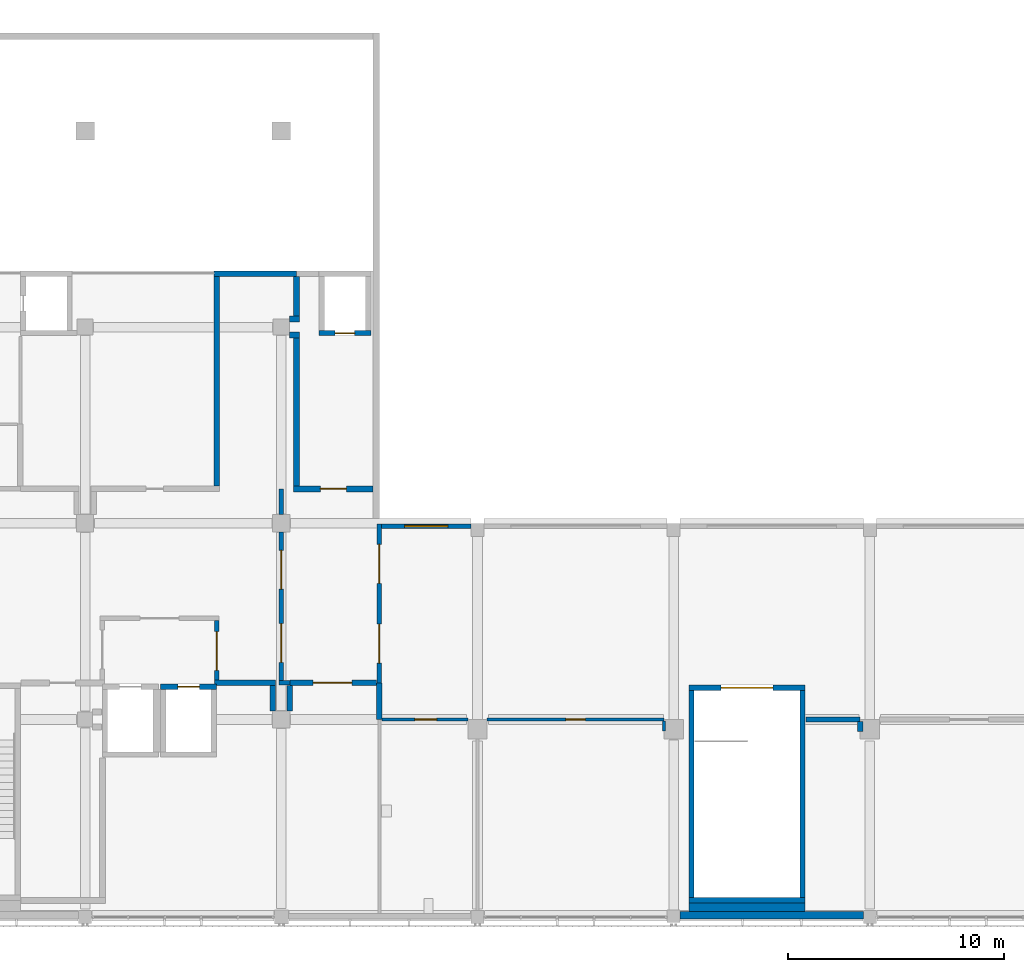
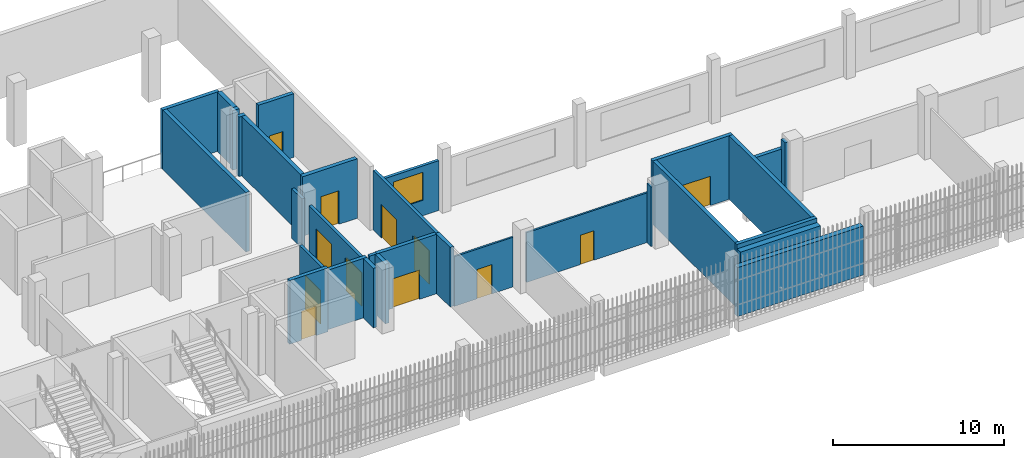
# One storey, part 55 of 104: 31 walls, 12 doors, 1 window, 13 openings.
"""IFC4 building model written with IfcOpenShell, lengths in metres."""

from ifc_helpers import new_model, si_unit, direction, frame, frame_2d, origin, place, context, subcontext, project, spatial, rectangle, extrude, material, layer, layer_set, type_object, element, fill, save


model = new_model("IFC4")

# Units and contexts
model_context = context("Model", 3, precision=1e-05, world=origin(), true_north=direction((0.0, 1.0)))
body_context = subcontext(model_context, "Body", "Model", "MODEL_VIEW")
ifc_project = project(units=[si_unit("LENGTHUNIT", "METRE"), si_unit("AREAUNIT", "SQUARE_METRE"), si_unit("VOLUMEUNIT", "CUBIC_METRE"), si_unit("PLANEANGLEUNIT", "RADIAN"), si_unit("MASSUNIT", "GRAM", prefix="KILO")], contexts=[model_context])

# Site, building, storey
site_placement = place(None, origin())
site = spatial("IfcSite", under=ifc_project, at=site_placement, CompositionType="ELEMENT")
building_placement = place(site_placement, origin())
building = spatial("IfcBuilding", under=site, at=building_placement, Name="Shirokan Park Arena", CompositionType="ELEMENT")
storey_placement = place(building_placement, frame((0.0, 0.0, 10.919921875)))
storey = spatial("IfcBuildingStorey", under=building, at=storey_placement, Name="L02", CompositionType="ELEMENT", Elevation=10.919921875)

# Wall, opening, window
ifc_material_1 = material(Name="Cedar timber lining", Category="wood")
ifc_layer_1 = layer(ifc_material_1, 0.02001953125, Name="Cedar timber lining")
ifc_material_2 = material(Name="Plywood", Category="wood")
ifc_layer_2 = layer(ifc_material_2, 0.01806640625, Name="Plywood")
ifc_material_3 = material(Name="Mineral wool insulation")
ifc_layer_3 = layer(ifc_material_3, 0.14208984375, Name="Mineral wool insulation")
ifc_material_4 = material(Name="Gypsum board")
ifc_layer_4 = layer(ifc_material_4, 0.02001953125, Name="Gypsum board")
ifc_layer_set_1 = layer_set([ifc_layer_1, ifc_layer_2, ifc_layer_3, ifc_layer_4], Name="Cedar timber lining + Plywood + Mineral wool insulation + Gypsum board")
wall_type_1 = type_object("IfcWallType", Name="Bowl front wall 200", PredefinedType="PARTITIONING", material=ifc_layer_set_1)
wall_1_placement = place(storey_placement, frame((41.050048828125, 18.070068359375, 0.0), z_axis=(0.0, 0.0, 1.0), x_axis=(1.0, 0.0, 0.0)))
wall_1 = element("IfcWall", 1, at=wall_1_placement, inside=storey, type_object=wall_type_1, Name="Bowl front wall 200 L02", PredefinedType="PARTITIONING", context=body_context, shape_type="SweptSolid", body=[
    extrude(rectangle(XDim=4.14990234375, YDim=0.199951171875, at=frame_2d((2.074951171875, 0.0))), origin(), (0.0, 0.0, 1.0), 3.550048828125),
])
opening_1_placement = place(wall_1_placement, frame((1.074951171875, 0.0, 1.10009765625)))
opening_1 = element("IfcOpeningElement", 2, at=opening_1_placement, cuts=wall_1, Name="Opening W5", PredefinedType="OPENING", context=body_context, shape_type="SweptSolid", body=[
    extrude(rectangle(XDim=2.0, YDim=2.0, at=frame_2d((1.0, 1.0))), frame((0.0, 0.10986328125, 0.0), z_axis=(0.0, -1.0, 0.0), x_axis=(1.0, 0.0, 0.0)), (0.0, 0.0, 1.0), 0.219970703125),
])
ifc_material_5 = material(Name="Aluminium frame with laminated glass", Category="aluminium")
window_type = type_object("IfcWindowType", Name="Lounge viewing window 2000 x 2000", PartitioningType="SINGLE_PANEL", PredefinedType="WINDOW", material=ifc_material_5)
window_placement = place(opening_1_placement, origin())
window = element("IfcWindow", 3, at=window_placement, inside=storey, type_object=window_type, Name="Lounge viewing window 2000 x 2000 L02", OverallHeight=2.0, OverallWidth=2.0, PartitioningType="SINGLE_PANEL", PredefinedType="WINDOW", context=body_context, shape_type="SweptSolid", body=[
    extrude(rectangle(XDim=2.0, YDim=2.0, at=frame_2d((1.0, 1.0))), frame((0.0, 0.030029296875, 0.0), z_axis=(0.0, -1.0, 0.0), x_axis=(1.0, 0.0, 0.0)), (0.0, 0.0, 1.0), 0.06005859375),
])
fill(opening_1, window)

# Walls
ifc_material_6 = material(Name="Plaster")
ifc_layer_5 = layer(ifc_material_6, 0.014892578125, Name="Plaster")
ifc_material_7 = material(Name="Concrete blockwork", Category="masonry")
ifc_layer_6 = layer(ifc_material_7, 0.219970703125, Name="Concrete blockwork 220")
ifc_layer_7 = layer(ifc_material_6, 0.014892578125, Name="Plaster")
ifc_layer_set_2 = layer_set([ifc_layer_5, ifc_layer_6, ifc_layer_7], Name="Plaster + Concrete blockwork 220")
wall_type_2 = type_object("IfcWallType", Name="Compartment wall 250", PredefinedType="SOLIDWALL", material=ifc_layer_set_2)
wall_2_placement = place(storey_placement, frame((33.39990234375, 29.64990234375, 0.0), z_axis=(0.0, 0.0, 1.0), x_axis=(0.0, -1.0, 0.0)))
element("IfcWall", 4, at=wall_2_placement, inside=storey, type_object=wall_type_2, Name="Compartment wall 250 L02", PredefinedType="SOLIDWALL", context=body_context, shape_type="SweptSolid", body=[
    extrude(rectangle(XDim=9.724853515625, YDim=0.25, at=frame_2d((4.8623046875, 0.0))), origin(), (0.0, 0.0, 1.0), 4.25),
])
wall_3_placement = place(storey_placement, frame((36.0, 9.5, 0.0), z_axis=(0.0, 0.0, 1.0), x_axis=(0.0, 1.0, 0.0)))
element("IfcWall", 5, at=wall_3_placement, inside=storey, type_object=wall_type_2, Name="Compartment wall 250 L02", PredefinedType="SOLIDWALL", context=body_context, shape_type="SweptSolid", body=[
    extrude(rectangle(XDim=1.175048828125, YDim=0.25, at=frame_2d((0.58740234375, 0.0))), origin(), (0.0, 0.0, 1.0), 4.25),
])
wall_4_placement = place(storey_placement, frame((36.125, 10.800048828125, 0.0), z_axis=(0.0, 0.0, 1.0), x_axis=(-1.0, 0.0, 0.0)))
element("IfcWall", 6, at=wall_4_placement, inside=storey, type_object=wall_type_2, Name="Compartment wall 250 L02", PredefinedType="SOLIDWALL", context=body_context, shape_type="SweptSolid", body=[
    extrude(rectangle(XDim=2.824951171875, YDim=0.25, at=frame_2d((1.41259765625, 0.0))), origin(), (0.0, 0.0, 1.0), 4.25),
])
wall_5_placement = place(storey_placement, frame((36.800048828125, 10.675048828125, 0.0), z_axis=(0.0, 0.0, 1.0), x_axis=(0.0, -1.0, 0.0)))
element("IfcWall", 7, at=wall_5_placement, inside=storey, type_object=wall_type_2, Name="Compartment wall 250 L02", PredefinedType="SOLIDWALL", context=body_context, shape_type="SweptSolid", body=[
    extrude(rectangle(XDim=1.175048828125, YDim=0.25, at=frame_2d((0.58740234375, 0.0))), origin(), (0.0, 0.0, 1.0), 4.25),
])
wall_6_placement = place(storey_placement, frame((37.10009765625, 29.77490234375, 0.0), z_axis=(0.0, 0.0, 1.0), x_axis=(-1.0, 0.0, 0.0)))
element("IfcWall", 8, at=wall_6_placement, inside=storey, type_object=wall_type_2, Name="Compartment wall 250 L02", PredefinedType="SOLIDWALL", context=body_context, shape_type="SweptSolid", body=[
    extrude(rectangle(XDim=3.8251953125, YDim=0.25, at=frame_2d((1.91259765625, 0.0))), origin(), (0.0, 0.0, 1.0), 4.25),
])

# Wall, opening, door
wall_7_placement = place(storey_placement, frame((40.824951171875, 10.800048828125, 0.0), z_axis=(0.0, 0.0, 1.0), x_axis=(-1.0, 0.0, 0.0)))
wall_7 = element("IfcWall", 9, at=wall_7_placement, inside=storey, type_object=wall_type_2, Name="Compartment wall 250 L02", PredefinedType="SOLIDWALL", context=body_context, shape_type="SweptSolid", body=[
    extrude(rectangle(XDim=4.02490234375, YDim=0.25, at=frame_2d((2.012451171875, 0.0))), origin(), (0.0, 0.0, 1.0), 4.25),
])
opening_2_placement = place(wall_7_placement, frame((1.14990234375, 0.0, 0.0)))
opening_2 = element("IfcOpeningElement", 10, at=opening_2_placement, cuts=wall_7, Name="Opening D-2009", PredefinedType="OPENING", context=body_context, shape_type="SweptSolid", body=[
    extrude(rectangle(XDim=1.800048828125, YDim=2.10009765625, at=frame_2d((0.89990234375, 1.050048828125))), frame((0.0, 0.135009765625, 0.0), z_axis=(0.0, -1.0, 0.0), x_axis=(1.0, 0.0, 0.0)), (0.0, 0.0, 1.0), 0.27001953125),
])
ifc_material_8 = material(Name="Timber door set, fire resisting", Category="wood")
door_type_1 = type_object("IfcDoorType", Name="Double door 1800 x 2100", OperationType="DOUBLE_DOOR_SINGLE_SWING", PredefinedType="DOOR", material=ifc_material_8)
door_1_placement = place(opening_2_placement, origin())
door_1 = element("IfcDoor", 11, at=door_1_placement, inside=storey, type_object=door_type_1, Name="Door to Glass Wash Room 2.13 D-2009", OperationType="DOUBLE_DOOR_SINGLE_SWING", OverallHeight=2.10009765625, OverallWidth=1.800048828125, PredefinedType="DOOR", context=body_context, shape_type="SweptSolid", body=[
    extrude(rectangle(XDim=1.800048828125, YDim=2.10009765625, at=frame_2d((0.89990234375, 1.050048828125))), frame((0.0, 0.02490234375, 0.0), z_axis=(0.0, -1.0, 0.0), x_axis=(1.0, 0.0, 0.0)), (0.0, 0.0, 1.0), 0.050048828125),
])
fill(opening_2, door_1)

# Walls
wall_8_placement = place(storey_placement, frame((40.949951171875, 10.800048828125, 0.0), z_axis=(0.0, 0.0, 1.0), x_axis=(0.0, -1.0, 0.0)))
element("IfcWall", 12, at=wall_8_placement, inside=storey, type_object=wall_type_2, Name="Compartment wall 250 L02", PredefinedType="SOLIDWALL", context=body_context, shape_type="SweptSolid", body=[
    extrude(rectangle(XDim=1.699951171875, YDim=0.25, at=frame_2d((0.85009765625, 0.0))), origin(), (0.0, 0.0, 1.0), 4.25),
])
wall_9_placement = place(storey_placement, frame((63.25, 8.550048828125, 0.0), z_axis=(0.0, 0.0, 1.0), x_axis=(0.0, 1.0, 0.0)))
element("IfcWall", 13, at=wall_9_placement, inside=storey, type_object=wall_type_2, Name="Compartment wall 250 L02", PredefinedType="SOLIDWALL", context=body_context, shape_type="SweptSolid", body=[
    extrude(rectangle(XDim=0.449951171875, YDim=0.25, at=frame_2d((0.22509765625, 0.0))), origin(), (0.0, 0.0, 1.0), 4.25),
])
wall_10_placement = place(storey_placement, frame((63.25, 9.10009765625, 0.0), z_axis=(0.0, 0.0, 1.0), x_axis=(-1.0, 0.0, 0.0)))
element("IfcWall", 14, at=wall_10_placement, inside=storey, type_object=wall_type_2, Name="Compartment wall 250 L02", PredefinedType="SOLIDWALL", context=body_context, shape_type="SweptSolid", body=[
    extrude(rectangle(XDim=2.52001953125, YDim=0.25, at=frame_2d((1.260009765625, 0.0))), origin(), (0.0, 0.0, 1.0), 3.550048828125),
])

# Wall, opening, door
ifc_layer_8 = layer(ifc_material_4, 0.02490234375, Name="Gypsum board, two layers")
ifc_layer_9 = layer(ifc_material_3, 0.14990234375, Name="Mineral wool insulation")
ifc_layer_10 = layer(ifc_material_4, 0.02490234375, Name="Gypsum board, two layers")
ifc_layer_set_3 = layer_set([ifc_layer_8, ifc_layer_9, ifc_layer_10], Name="Gypsum board, two layers + Mineral wool insulation")
wall_type_3 = type_object("IfcWallType", Name="Corridor wall 200", PredefinedType="PARTITIONING", material=ifc_layer_set_3)
wall_11_placement = place(storey_placement, frame((33.39990234375, 10.925048828125, 0.0), z_axis=(0.0, 0.0, 1.0), x_axis=(0.0, 1.0, 0.0)))
wall_11 = element("IfcWall", 15, at=wall_11_placement, inside=storey, type_object=wall_type_3, Name="Corridor wall 200 L02", PredefinedType="PARTITIONING", context=body_context, shape_type="SweptSolid", body=[
    extrude(rectangle(XDim=2.77490234375, YDim=0.199951171875, at=frame_2d((1.387451171875, 0.0))), origin(), (0.0, 0.0, 1.0), 4.25),
])
opening_3_placement = place(wall_11_placement, frame((0.449951171875, 0.0, 0.0)))
opening_3 = element("IfcOpeningElement", 16, at=opening_3_placement, cuts=wall_11, Name="Opening D-2050", PredefinedType="OPENING", context=body_context, shape_type="SweptSolid", body=[
    extrude(rectangle(XDim=1.800048828125, YDim=2.39990234375, at=frame_2d((0.89990234375, 1.199951171875))), frame((0.0, 0.10986328125, 0.0), z_axis=(0.0, -1.0, 0.0), x_axis=(1.0, 0.0, 0.0)), (0.0, 0.0, 1.0), 0.219970703125),
])
ifc_material_9 = material(Name="Glazed steel door set, fire resisting", Category="steel")
door_type_2 = type_object("IfcDoorType", Name="Lift lobby door 1800 x 2400", OperationType="DOUBLE_DOOR_SINGLE_SWING", PredefinedType="DOOR", material=ifc_material_9)
door_2_placement = place(opening_3_placement, origin())
door_2 = element("IfcDoor", 17, at=door_2_placement, inside=storey, type_object=door_type_2, Name="Door between Club Gallery 1.2.3 and Lift Lobby 1.2 D-2050", OperationType="DOUBLE_DOOR_SINGLE_SWING", OverallHeight=2.39990234375, OverallWidth=1.800048828125, PredefinedType="DOOR", context=body_context, shape_type="SweptSolid", body=[
    extrude(rectangle(XDim=1.800048828125, YDim=2.39990234375, at=frame_2d((0.89990234375, 1.199951171875))), frame((0.0, 0.02490234375, 0.0), z_axis=(0.0, -1.0, 0.0), x_axis=(1.0, 0.0, 0.0)), (0.0, 0.0, 1.0), 0.050048828125),
])
fill(opening_3, door_2)

# Wall
wall_12_placement = place(storey_placement, frame((36.300048828125, 10.800048828125, 0.0), z_axis=(0.0, 0.0, 1.0), x_axis=(1.0, 0.0, 0.0)))
element("IfcWall", 18, at=wall_12_placement, inside=storey, type_object=wall_type_3, Name="Corridor wall 200 L02", PredefinedType="PARTITIONING", context=body_context, shape_type="SweptSolid", body=[
    extrude(rectangle(XDim=0.5, YDim=0.199951171875, at=frame_2d((0.25, 0.0))), origin(), (0.0, 0.0, 1.0), 4.25),
])

# Wall, openings, doors
wall_13_placement = place(storey_placement, frame((36.39990234375, 17.800048828125, 0.0), z_axis=(0.0, 0.0, 1.0), x_axis=(0.0, -1.0, 0.0)))
wall_13 = element("IfcWall", 19, at=wall_13_placement, inside=storey, type_object=wall_type_3, Name="Corridor wall 200 L02", PredefinedType="PARTITIONING", context=body_context, shape_type="SweptSolid", body=[
    extrude(rectangle(XDim=6.900146484375, YDim=0.199951171875, at=frame_2d((3.4501953125, 0.0))), origin(), (0.0, 0.0, 1.0), 3.550048828125),
])
opening_4_placement = place(wall_13_placement, frame((0.85009765625, 0.0, 0.0)))
opening_4 = element("IfcOpeningElement", 20, at=opening_4_placement, cuts=wall_13, Name="Opening D-2047", PredefinedType="OPENING", context=body_context, shape_type="SweptSolid", body=[
    extrude(rectangle(XDim=1.800048828125, YDim=2.39990234375, at=frame_2d((0.89990234375, 1.199951171875))), frame((0.0, 0.10986328125, 0.0), z_axis=(0.0, -1.0, 0.0), x_axis=(1.0, 0.0, 0.0)), (0.0, 0.0, 1.0), 0.219970703125),
])
opening_5_placement = place(wall_13_placement, frame((4.25, 0.0, 0.0)))
opening_5 = element("IfcOpeningElement", 21, at=opening_5_placement, cuts=wall_13, Name="Opening D-2048", PredefinedType="OPENING", context=body_context, shape_type="SweptSolid", body=[
    extrude(rectangle(XDim=1.800048828125, YDim=2.39990234375, at=frame_2d((0.89990234375, 1.199951171875))), frame((0.0, 0.10986328125, 0.0), z_axis=(0.0, -1.0, 0.0), x_axis=(1.0, 0.0, 0.0)), (0.0, 0.0, 1.0), 0.219970703125),
])
door_3_placement = place(opening_4_placement, origin())
door_3 = element("IfcDoor", 22, at=door_3_placement, inside=storey, type_object=door_type_2, Name="Door between Club Gallery 1.2.3 and Club Foyer 1.2.4 D-2047", OperationType="DOUBLE_DOOR_SINGLE_SWING", OverallHeight=2.39990234375, OverallWidth=1.800048828125, PredefinedType="DOOR", context=body_context, shape_type="SweptSolid", body=[
    extrude(rectangle(XDim=1.800048828125, YDim=2.39990234375, at=frame_2d((0.89990234375, 1.199951171875))), frame((0.0, 0.02490234375, 0.0), z_axis=(0.0, -1.0, 0.0), x_axis=(1.0, 0.0, 0.0)), (0.0, 0.0, 1.0), 0.050048828125),
])
fill(opening_4, door_3)
door_4_placement = place(opening_5_placement, origin())
door_4 = element("IfcDoor", 23, at=door_4_placement, inside=storey, type_object=door_type_2, Name="Door between Club Gallery 1.2.3 and Club Foyer 1.2.4 D-2048", OperationType="DOUBLE_DOOR_SINGLE_SWING", OverallHeight=2.39990234375, OverallWidth=1.800048828125, PredefinedType="DOOR", context=body_context, shape_type="SweptSolid", body=[
    extrude(rectangle(XDim=1.800048828125, YDim=2.39990234375, at=frame_2d((0.89990234375, 1.199951171875))), frame((0.0, 0.02490234375, 0.0), z_axis=(0.0, -1.0, 0.0), x_axis=(1.0, 0.0, 0.0)), (0.0, 0.0, 1.0), 0.050048828125),
])
fill(opening_5, door_4)

# Wall
wall_14_placement = place(storey_placement, frame((36.39990234375, 19.800048828125, 0.0), z_axis=(0.0, 0.0, 1.0), x_axis=(0.0, -1.0, 0.0)))
element("IfcWall", 24, at=wall_14_placement, inside=storey, type_object=wall_type_3, Name="Corridor wall 200 L02", PredefinedType="PARTITIONING", context=body_context, shape_type="SweptSolid", body=[
    extrude(rectangle(XDim=1.199951171875, YDim=0.199951171875, at=frame_2d((0.60009765625, 0.0))), origin(), (0.0, 0.0, 1.0), 3.550048828125),
])

# Wall, openings, doors
wall_15_placement = place(storey_placement, frame((40.949951171875, 18.169921875, 0.0), z_axis=(0.0, 0.0, 1.0), x_axis=(0.0, -1.0, 0.0)))
wall_15 = element("IfcWall", 25, at=wall_15_placement, inside=storey, type_object=wall_type_3, Name="Corridor wall 200 L02", PredefinedType="PARTITIONING", context=body_context, shape_type="SweptSolid", body=[
    extrude(rectangle(XDim=7.369873046875, YDim=0.199951171875, at=frame_2d((3.68505859375, 0.0))), origin(), (0.0, 0.0, 1.0), 4.25),
])
opening_6_placement = place(wall_15_placement, frame((0.949951171875, 0.0, 0.0)))
opening_6 = element("IfcOpeningElement", 26, at=opening_6_placement, cuts=wall_15, Name="Opening D-2053", PredefinedType="OPENING", context=body_context, shape_type="SweptSolid", body=[
    extrude(rectangle(XDim=1.800048828125, YDim=2.39990234375, at=frame_2d((0.89990234375, 1.199951171875))), frame((0.0, 0.10986328125, 0.0), z_axis=(0.0, -1.0, 0.0), x_axis=(1.0, 0.0, 0.0)), (0.0, 0.0, 1.0), 0.219970703125),
])
opening_7_placement = place(wall_15_placement, frame((4.64990234375, 0.0, 0.0)))
opening_7 = element("IfcOpeningElement", 27, at=opening_7_placement, cuts=wall_15, Name="Opening D-2054", PredefinedType="OPENING", context=body_context, shape_type="SweptSolid", body=[
    extrude(rectangle(XDim=1.800048828125, YDim=2.39990234375, at=frame_2d((0.89990234375, 1.199951171875))), frame((0.0, 0.10986328125, 0.0), z_axis=(0.0, -1.0, 0.0), x_axis=(1.0, 0.0, 0.0)), (0.0, 0.0, 1.0), 0.219970703125),
])
door_5_placement = place(opening_6_placement, origin())
door_5 = element("IfcDoor", 28, at=door_5_placement, inside=storey, type_object=door_type_2, Name="Door between Club Foyer 1.2.4 and Club Lounge 2.01 D-2053", OperationType="DOUBLE_DOOR_SINGLE_SWING", OverallHeight=2.39990234375, OverallWidth=1.800048828125, PredefinedType="DOOR", context=body_context, shape_type="SweptSolid", body=[
    extrude(rectangle(XDim=1.800048828125, YDim=2.39990234375, at=frame_2d((0.89990234375, 1.199951171875))), frame((0.0, 0.02490234375, 0.0), z_axis=(0.0, -1.0, 0.0), x_axis=(1.0, 0.0, 0.0)), (0.0, 0.0, 1.0), 0.050048828125),
])
fill(opening_6, door_5)
door_6_placement = place(opening_7_placement, origin())
door_6 = element("IfcDoor", 29, at=door_6_placement, inside=storey, type_object=door_type_2, Name="Door between Club Foyer 1.2.4 and Club Lounge 2.01 D-2054", OperationType="DOUBLE_DOOR_SINGLE_SWING", OverallHeight=2.39990234375, OverallWidth=1.800048828125, PredefinedType="DOOR", context=body_context, shape_type="SweptSolid", body=[
    extrude(rectangle(XDim=1.800048828125, YDim=2.39990234375, at=frame_2d((0.89990234375, 1.199951171875))), frame((0.0, 0.02490234375, 0.0), z_axis=(0.0, -1.0, 0.0), x_axis=(1.0, 0.0, 0.0)), (0.0, 0.0, 1.0), 0.050048828125),
])
fill(opening_7, door_6)

# Walls
ifc_material_10 = material(Name="Cedar cladding")
ifc_layer_11 = layer(ifc_material_10, 0.030029296875, Name="Cedar cladding")
ifc_layer_12 = layer(ifc_material_3, 0.10009765625, Name="Mineral wool insulation")
ifc_material_11 = material(Name="Concrete C35", Category="concrete")
ifc_layer_13 = layer(ifc_material_11, 0.199951171875, Name="Concrete C35")
ifc_material_12 = material(Name="Gypsum board lining")
ifc_layer_14 = layer(ifc_material_12, 0.02001953125, Name="Gypsum board lining")
ifc_layer_set_4 = layer_set([ifc_layer_11, ifc_layer_12, ifc_layer_13, ifc_layer_14], Name="Cedar cladding + Mineral wool insulation + Concrete C35 + Gypsum board lining")
wall_type_4 = type_object("IfcWallType", Name="Insulated tower wall 350", PredefinedType="SOLIDWALL", material=ifc_layer_set_4)
wall_16_placement = place(storey_placement, frame((54.89990234375, 0.02490234375, 0.0), z_axis=(0.0, 0.0, 1.0), x_axis=(1.0, 0.0, 0.0)))
element("IfcWall", 30, at=wall_16_placement, inside=storey, type_object=wall_type_4, Name="South facade wall bay 7 L02", PredefinedType="SOLIDWALL", context=body_context, shape_type="SweptSolid", body=[
    extrude(rectangle(XDim=8.5, YDim=0.35009765625, at=frame_2d((4.25, 0.0))), origin(), (0.0, 0.0, 1.0), 3.5),
])
ifc_layer_15 = layer(ifc_material_6, 0.012451171875, Name="Plaster")
ifc_layer_16 = layer(ifc_material_7, 0.25, Name="Concrete blockwork 250")
ifc_layer_17 = layer(ifc_material_6, 0.012451171875, Name="Plaster")
ifc_layer_set_5 = layer_set([ifc_layer_15, ifc_layer_16, ifc_layer_17], Name="Plaster + Concrete blockwork 250")
wall_type_5 = type_object("IfcWallType", Name="Plant room wall 275", PredefinedType="SOLIDWALL", material=ifc_layer_set_5)
wall_17_placement = place(storey_placement, frame((36.77490234375, 26.925048828125, 0.0), z_axis=(0.0, 0.0, 1.0), x_axis=(1.0, 0.0, 0.0)))
element("IfcWall", 31, at=wall_17_placement, inside=storey, type_object=wall_type_5, Name="Plant room wall 275 L02", PredefinedType="SOLIDWALL", context=body_context, shape_type="SweptSolid", body=[
    extrude(rectangle(XDim=0.462646484375, YDim=0.27490234375, at=frame_2d((0.2314453125, 0.0))), origin(), (0.0, 0.0, 1.0), 4.25),
])

# Wall, opening, door
wall_18_placement = place(storey_placement, frame((36.96240234375, 19.800048828125, 0.0), z_axis=(0.0, 0.0, 1.0), x_axis=(1.0, 0.0, 0.0)))
wall_18 = element("IfcWall", 32, at=wall_18_placement, inside=storey, type_object=wall_type_5, Name="Plant room wall 275 L02", PredefinedType="SOLIDWALL", context=body_context, shape_type="SweptSolid", body=[
    extrude(rectangle(XDim=3.6875, YDim=0.27490234375, at=frame_2d((1.84375, 0.0))), origin(), (0.0, 0.0, 1.0), 4.25),
])
opening_8_placement = place(wall_18_placement, frame((1.25, 0.0, 0.0)))
opening_8 = element("IfcOpeningElement", 33, at=opening_8_placement, cuts=wall_18, Name="Opening D-2003", PredefinedType="OPENING", context=body_context, shape_type="SweptSolid", body=[
    extrude(rectangle(XDim=1.199951171875, YDim=2.39990234375, at=frame_2d((0.60009765625, 1.199951171875))), frame((0.0, 0.1474609375, 0.0), z_axis=(0.0, -1.0, 0.0), x_axis=(1.0, 0.0, 0.0)), (0.0, 0.0, 1.0), 0.294921875),
])
ifc_material_13 = material(Name="Louvred steel door set, fire resisting", Category="steel")
door_type_3 = type_object("IfcDoorType", Name="Plant room door 1200 x 2400", OperationType="SINGLE_SWING_LEFT", PredefinedType="DOOR", material=ifc_material_13)
door_7_placement = place(opening_8_placement, origin())
door_7 = element("IfcDoor", 34, at=door_7_placement, inside=storey, type_object=door_type_3, Name="Door to Electrical Room 2.19 D-2003", OperationType="SINGLE_SWING_LEFT", OverallHeight=2.39990234375, OverallWidth=1.199951171875, PredefinedType="DOOR", context=body_context, shape_type="SweptSolid", body=[
    extrude(rectangle(XDim=1.199951171875, YDim=2.39990234375, at=frame_2d((0.60009765625, 1.199951171875))), frame((0.0, 0.02490234375, 0.0), z_axis=(0.0, -1.0, 0.0), x_axis=(1.0, 0.0, 0.0)), (0.0, 0.0, 1.0), 0.050048828125),
])
fill(opening_8, door_7)

# Walls
wall_19_placement = place(storey_placement, frame((37.10009765625, 26.78759765625, 0.0), z_axis=(0.0, 0.0, 1.0), x_axis=(0.0, -1.0, 0.0)))
element("IfcWall", 35, at=wall_19_placement, inside=storey, type_object=wall_type_5, Name="Plant room wall 275 L02", PredefinedType="SOLIDWALL", context=body_context, shape_type="SweptSolid", body=[
    extrude(rectangle(XDim=6.85009765625, YDim=0.27490234375, at=frame_2d((3.425048828125, 0.0))), origin(), (0.0, 0.0, 1.0), 4.25),
])
wall_20_placement = place(storey_placement, frame((37.10009765625, 29.637451171875, 0.0), z_axis=(0.0, 0.0, 1.0), x_axis=(0.0, -1.0, 0.0)))
element("IfcWall", 36, at=wall_20_placement, inside=storey, type_object=wall_type_5, Name="Plant room wall 275 L02", PredefinedType="SOLIDWALL", context=body_context, shape_type="SweptSolid", body=[
    extrude(rectangle(XDim=1.824951171875, YDim=0.27490234375, at=frame_2d((0.91259765625, 0.0))), origin(), (0.0, 0.0, 1.0), 4.25),
])
wall_21_placement = place(storey_placement, frame((37.237548828125, 27.675048828125, 0.0), z_axis=(0.0, 0.0, 1.0), x_axis=(-1.0, 0.0, 0.0)))
element("IfcWall", 37, at=wall_21_placement, inside=storey, type_object=wall_type_5, Name="Plant room wall 275 L02", PredefinedType="SOLIDWALL", context=body_context, shape_type="SweptSolid", body=[
    extrude(rectangle(XDim=0.462646484375, YDim=0.27490234375, at=frame_2d((0.2314453125, 0.0))), origin(), (0.0, 0.0, 1.0), 4.25),
])

# Wall, opening, door
ifc_material_14 = material(Name="Concrete C40/50", Category="concrete")
ifc_layer_18 = layer(ifc_material_14, 0.25)
ifc_layer_set_6 = layer_set([ifc_layer_18], Name="Concrete C40/50 250 mm")
wall_type_6 = type_object("IfcWallType", Name="RC shear wall 250", PredefinedType="SHEAR", material=ifc_layer_set_6)
wall_22_placement = place(storey_placement, frame((33.39990234375, 10.625, 0.0), z_axis=(0.0, 0.0, 1.0), x_axis=(-1.0, 0.0, 0.0)))
wall_22 = element("IfcWall", 38, at=wall_22_placement, inside=storey, type_object=wall_type_6, Name="Shaft wall Passenger Lift 1.2 N L02", PredefinedType="SHEAR", context=body_context, shape_type="SweptSolid", body=[
    extrude(rectangle(XDim=2.599853515625, YDim=0.25, at=frame_2d((1.2998046875, 0.0))), origin(), (0.0, 0.0, 1.0), 4.550048828125),
])
opening_9_placement = place(wall_22_placement, frame((0.800048828125, 0.0, 0.0)))
opening_9 = element("IfcOpeningElement", 39, at=opening_9_placement, cuts=wall_22, Name="Opening LD09", PredefinedType="OPENING", context=body_context, shape_type="SweptSolid", body=[
    extrude(rectangle(XDim=1.0, YDim=2.10009765625, at=frame_2d((0.5, 1.050048828125))), frame((0.0, 0.135009765625, 0.0), z_axis=(0.0, -1.0, 0.0), x_axis=(1.0, 0.0, 0.0)), (0.0, 0.0, 1.0), 0.27001953125),
])
ifc_material_15 = material(Name="Stainless steel", Category="steel")
door_type_4 = type_object("IfcDoorType", Name="Lift landing door 1000x2100", OperationType="DOUBLE_DOOR_SLIDING", PredefinedType="DOOR", material=ifc_material_15)
door_8_placement = place(opening_9_placement, origin())
door_8 = element("IfcDoor", 40, at=door_8_placement, inside=storey, type_object=door_type_4, Name="Lift landing door Passenger Lift 1.2 L02", OperationType="DOUBLE_DOOR_SLIDING", OverallHeight=2.10009765625, OverallWidth=1.0, PredefinedType="DOOR", context=body_context, shape_type="SweptSolid", body=[
    extrude(rectangle(XDim=1.0, YDim=2.10009765625, at=frame_2d((0.5, 1.050048828125))), frame((0.0, 0.02490234375, 0.0), z_axis=(0.0, -1.0, 0.0), x_axis=(1.0, 0.0, 0.0)), (0.0, 0.0, 1.0), 0.050048828125),
])
fill(opening_9, door_8)

wall_23_placement = place(storey_placement, frame((40.550048828125, 27.02490234375, 0.0), z_axis=(0.0, 0.0, 1.0), x_axis=(-1.0, 0.0, 0.0)))
wall_23 = element("IfcWall", 41, at=wall_23_placement, inside=storey, type_object=wall_type_6, Name="Shaft wall Services Riser 1.1 S L02", PredefinedType="SHEAR", context=body_context, shape_type="SweptSolid", body=[
    extrude(rectangle(XDim=2.400146484375, YDim=0.25, at=frame_2d((1.2001953125, 0.0))), origin(), (0.0, 0.0, 1.0), 4.550048828125),
])
opening_10_placement = place(wall_23_placement, frame((0.75, 0.0, 0.0)))
opening_10 = element("IfcOpeningElement", 42, at=opening_10_placement, cuts=wall_23, Name="Opening D-2083", PredefinedType="OPENING", context=body_context, shape_type="SweptSolid", body=[
    extrude(rectangle(XDim=0.89990234375, YDim=2.10009765625, at=frame_2d((0.449951171875, 1.050048828125))), frame((0.0, 0.135009765625, 0.0), z_axis=(0.0, -1.0, 0.0), x_axis=(1.0, 0.0, 0.0)), (0.0, 0.0, 1.0), 0.27001953125),
])
ifc_material_16 = material(Name="Steel door set, fire resisting", Category="steel")
door_type_5 = type_object("IfcDoorType", Name="Electrical riser door 900 x 2100", OperationType="SINGLE_SWING_LEFT", PredefinedType="DOOR", material=ifc_material_16)
door_9_placement = place(opening_10_placement, origin())
door_9 = element("IfcDoor", 43, at=door_9_placement, inside=storey, type_object=door_type_5, Name="Riser access door Services Riser 1.1 D-2083", OperationType="SINGLE_SWING_RIGHT", OverallHeight=2.10009765625, OverallWidth=0.89990234375, PredefinedType="DOOR", context=body_context, shape_type="SweptSolid", body=[
    extrude(rectangle(XDim=0.89990234375, YDim=2.10009765625, at=frame_2d((0.449951171875, 1.050048828125))), frame((0.0, 0.02490234375, 0.0), z_axis=(0.0, -1.0, 0.0), x_axis=(1.0, 0.0, 0.0)), (0.0, 0.0, 1.0), 0.050048828125),
])
fill(opening_10, door_9)

# Wall
wall_24_placement = place(storey_placement, frame((60.699951171875, 0.72509765625, 0.0), z_axis=(0.0, 0.0, 1.0), x_axis=(-1.0, 0.0, 0.0)))
element("IfcWall", 44, at=wall_24_placement, inside=storey, type_object=wall_type_6, Name="Shaft wall Entrance Stair E1.1 S L02", PredefinedType="SHEAR", context=body_context, shape_type="SweptSolid", body=[
    extrude(rectangle(XDim=5.39990234375, YDim=0.25, at=frame_2d((2.699951171875, 0.0))), origin(), (0.0, 0.0, 1.0), 4.550048828125),
])

# Wall, opening, door
wall_25_placement = place(storey_placement, frame((60.699951171875, 10.574951171875, 0.0), z_axis=(0.0, 0.0, 1.0), x_axis=(-1.0, 0.0, 0.0)))
wall_25 = element("IfcWall", 45, at=wall_25_placement, inside=storey, type_object=wall_type_6, Name="Shaft wall Entrance Stair E1.1 N L02", PredefinedType="SHEAR", context=body_context, shape_type="SweptSolid", body=[
    extrude(rectangle(XDim=5.39990234375, YDim=0.25, at=frame_2d((2.699951171875, 0.0))), origin(), (0.0, 0.0, 1.0), 4.550048828125),
])
opening_11_placement = place(wall_25_placement, frame((1.5, 0.0, 0.0)))
opening_11 = element("IfcOpeningElement", 46, at=opening_11_placement, cuts=wall_25, Name="Opening D-2114", PredefinedType="OPENING", context=body_context, shape_type="SweptSolid", body=[
    extrude(rectangle(XDim=2.39990234375, YDim=2.10009765625, at=frame_2d((1.199951171875, 1.050048828125))), frame((0.0, 0.135009765625, 0.0), z_axis=(0.0, -1.0, 0.0), x_axis=(1.0, 0.0, 0.0)), (0.0, 0.0, 1.0), 0.27001953125),
])
door_type_6 = type_object("IfcDoorType", Name="Stair door 2400 x 2100", OperationType="DOUBLE_DOOR_SINGLE_SWING", PredefinedType="DOOR", material=ifc_material_16)
door_10_placement = place(opening_11_placement, origin())
door_10 = element("IfcDoor", 47, at=door_10_placement, inside=storey, type_object=door_type_6, Name="Stair door Entrance Stair E1.1 D-2114", OperationType="DOUBLE_DOOR_SINGLE_SWING", OverallHeight=2.10009765625, OverallWidth=2.39990234375, PredefinedType="DOOR", context=body_context, shape_type="SweptSolid", body=[
    extrude(rectangle(XDim=2.39990234375, YDim=2.10009765625, at=frame_2d((1.199951171875, 1.050048828125))), frame((0.0, 0.02490234375, 0.0), z_axis=(0.0, -1.0, 0.0), x_axis=(1.0, 0.0, 0.0)), (0.0, 0.0, 1.0), 0.050048828125),
])
fill(opening_11, door_10)

# Walls
for number, where, z_axis, x_axis, name in (
    (48, (55.425048828125, 10.449951171875, 0.0), (0.0, 0.0, 1.0), (0.0, -1.0, 0.0), "Shaft wall Entrance Stair E1.1 W L02"),
    (49, (60.574951171875, 10.449951171875, 0.0), (0.0, 0.0, 1.0), (0.0, -1.0, 0.0), "Shaft wall Entrance Stair E1.1 E L02"),
):
    element("IfcWall", number, at=place(storey_placement, frame(where, z_axis=z_axis, x_axis=x_axis)), inside=storey, type_object=wall_type_6, Name=name, PredefinedType="SHEAR", context=body_context, shape_type="SweptSolid", body=[
        extrude(rectangle(XDim=9.599853515625, YDim=0.25, at=frame_2d((4.7998046875, 0.0))), origin(), (0.0, 0.0, 1.0), 4.550048828125),
    ])
ifc_layer_19 = layer(ifc_material_11, 0.39990234375)
ifc_layer_set_7 = layer_set([ifc_layer_19], Name="Concrete C35 400 mm")
wall_type_7 = type_object("IfcWallType", Name="Shaft infill wall 400", PredefinedType="SOLIDWALL", material=ifc_layer_set_7)
wall_26_placement = place(storey_placement, frame((55.300048828125, 0.39990234375, 0.0), z_axis=(0.0, 0.0, 1.0), x_axis=(1.0, 0.0, 0.0)))
element("IfcWall", 50, at=wall_26_placement, inside=storey, type_object=wall_type_7, Name="Shaft infill wall L02", PredefinedType="SOLIDWALL", context=body_context, shape_type="SweptSolid", body=[
    extrude(rectangle(XDim=5.39990234375, YDim=0.39990234375, at=frame_2d((2.699951171875, 0.0))), origin(), (0.0, 0.0, 1.0), 4.25),
])

# Wall, opening, door
ifc_material_17 = material(Name="Ceramic tile")
ifc_layer_20 = layer(ifc_material_17, 0.010009765625, Name="Ceramic tile")
ifc_material_18 = material(Name="Cement board")
ifc_layer_21 = layer(ifc_material_18, 0.012451171875, Name="Cement board")
ifc_layer_22 = layer(ifc_material_3, 0.080078125, Name="Mineral wool insulation")
ifc_layer_23 = layer(ifc_material_18, 0.012451171875, Name="Cement board")
ifc_layer_24 = layer(ifc_material_17, 0.010009765625, Name="Ceramic tile")
ifc_layer_set_8 = layer_set([ifc_layer_20, ifc_layer_21, ifc_layer_22, ifc_layer_23, ifc_layer_24], Name="Ceramic tile + Cement board + Mineral wool insulation")
wall_type_8 = type_object("IfcWallType", Name="Wet-area wall 125", PredefinedType="PARTITIONING", material=ifc_layer_set_8)
wall_27_placement = place(storey_placement, frame((45.050048828125, 9.10009765625, 0.0), z_axis=(0.0, 0.0, 1.0), x_axis=(-1.0, 0.0, 0.0)))
wall_27 = element("IfcWall", 51, at=wall_27_placement, inside=storey, type_object=wall_type_8, Name="Wet-area wall 125 L02", PredefinedType="PARTITIONING", context=body_context, shape_type="SweptSolid", body=[
    extrude(rectangle(XDim=3.97509765625, YDim=0.125, at=frame_2d((1.987548828125, 0.0))), origin(), (0.0, 0.0, 1.0), 3.550048828125),
])
opening_12_placement = place(wall_27_placement, frame((1.449951171875, 0.0, 0.0)))
opening_12 = element("IfcOpeningElement", 52, at=opening_12_placement, cuts=wall_27, Name="Opening D-2037", PredefinedType="OPENING", context=body_context, shape_type="SweptSolid", body=[
    extrude(rectangle(XDim=1.0, YDim=2.10009765625, at=frame_2d((0.5, 1.050048828125))), frame((0.0, 0.072509765625, 0.0), z_axis=(0.0, -1.0, 0.0), x_axis=(1.0, 0.0, 0.0)), (0.0, 0.0, 1.0), 0.14501953125),
])
door_type_7 = type_object("IfcDoorType", Name="Accessible WC door 1000 x 2100", OperationType="SINGLE_SWING_RIGHT", PredefinedType="DOOR", material=ifc_material_8)
door_11_placement = place(opening_12_placement, origin())
door_11 = element("IfcDoor", 53, at=door_11_placement, inside=storey, type_object=door_type_7, Name="Door to Accessible WC 2.11 D-2037", OperationType="SINGLE_SWING_RIGHT", OverallHeight=2.10009765625, OverallWidth=1.0, PredefinedType="DOOR", context=body_context, shape_type="SweptSolid", body=[
    extrude(rectangle(XDim=1.0, YDim=2.10009765625, at=frame_2d((0.5, 1.050048828125))), frame((0.0, 0.02490234375, 0.0), z_axis=(0.0, -1.0, 0.0), x_axis=(1.0, 0.0, 0.0)), (0.0, 0.0, 1.0), 0.050048828125),
])
fill(opening_12, door_11)

# Wall
wall_28_placement = place(storey_placement, frame((54.14990234375, 8.574951171875, 0.0), z_axis=(0.0, 0.0, 1.0), x_axis=(0.0, 1.0, 0.0)))
element("IfcWall", 54, at=wall_28_placement, inside=storey, type_object=wall_type_8, Name="Wet-area wall 125 L02", PredefinedType="PARTITIONING", context=body_context, shape_type="SweptSolid", body=[
    extrude(rectangle(XDim=0.449951171875, YDim=0.125, at=frame_2d((0.22509765625, 0.0))), origin(), (0.0, 0.0, 1.0), 4.25),
])

# Wall, opening, door
wall_29_placement = place(storey_placement, frame((54.14990234375, 9.10009765625, 0.0), z_axis=(0.0, 0.0, 1.0), x_axis=(-1.0, 0.0, 0.0)))
wall_29 = element("IfcWall", 55, at=wall_29_placement, inside=storey, type_object=wall_type_8, Name="Wet-area wall 125 L02", PredefinedType="PARTITIONING", context=body_context, shape_type="SweptSolid", body=[
    extrude(rectangle(XDim=8.199951171875, YDim=0.125, at=frame_2d((4.10009765625, 0.0))), origin(), (0.0, 0.0, 1.0), 3.550048828125),
])
opening_13_placement = place(wall_29_placement, frame((3.64990234375, 0.0, 0.0)))
opening_13 = element("IfcOpeningElement", 56, at=opening_13_placement, cuts=wall_29, Name="Opening D-2038", PredefinedType="OPENING", context=body_context, shape_type="SweptSolid", body=[
    extrude(rectangle(XDim=0.89990234375, YDim=2.10009765625, at=frame_2d((0.449951171875, 1.050048828125))), frame((0.0, 0.072509765625, 0.0), z_axis=(0.0, -1.0, 0.0), x_axis=(1.0, 0.0, 0.0)), (0.0, 0.0, 1.0), 0.14501953125),
])
door_type_8 = type_object("IfcDoorType", Name="Door 900 x 2100", OperationType="SINGLE_SWING_LEFT", PredefinedType="DOOR", material=ifc_material_8)
door_12_placement = place(opening_13_placement, origin())
door_12 = element("IfcDoor", 57, at=door_12_placement, inside=storey, type_object=door_type_8, Name="Door to Men's WC 2.12 D-2038", OperationType="SINGLE_SWING_LEFT", OverallHeight=2.10009765625, OverallWidth=0.89990234375, PredefinedType="DOOR", context=body_context, shape_type="SweptSolid", body=[
    extrude(rectangle(XDim=0.89990234375, YDim=2.10009765625, at=frame_2d((0.449951171875, 1.050048828125))), frame((0.0, 0.02490234375, 0.0), z_axis=(0.0, -1.0, 0.0), x_axis=(1.0, 0.0, 0.0)), (0.0, 0.0, 1.0), 0.050048828125),
])
fill(opening_13, door_12)

save(model, "model.ifc")
